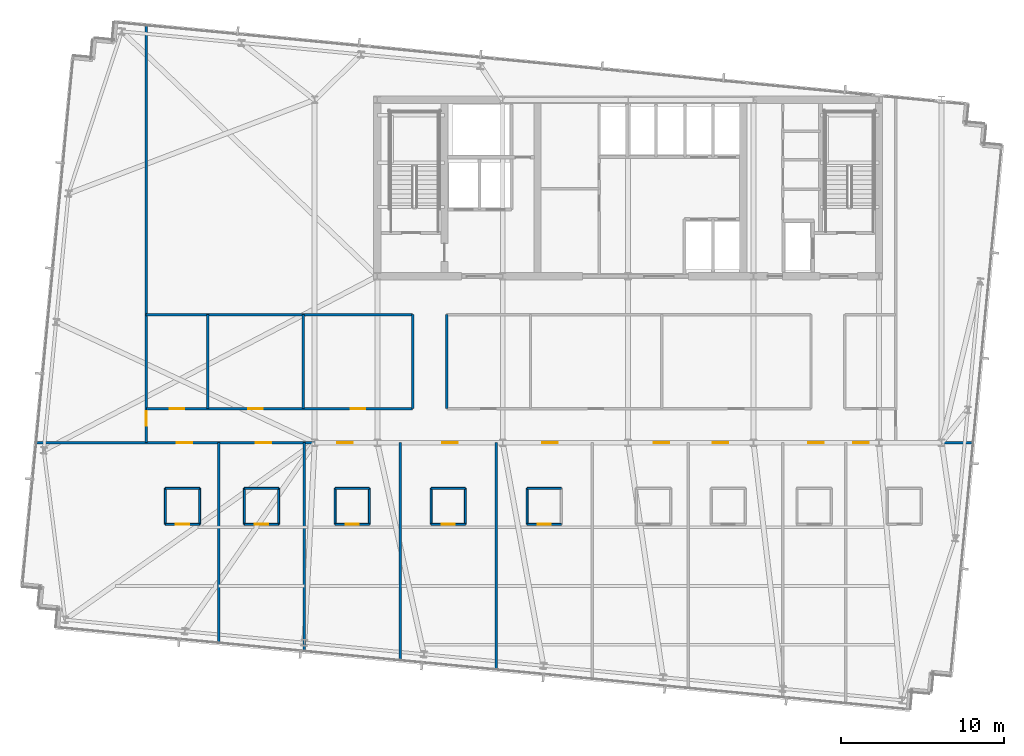
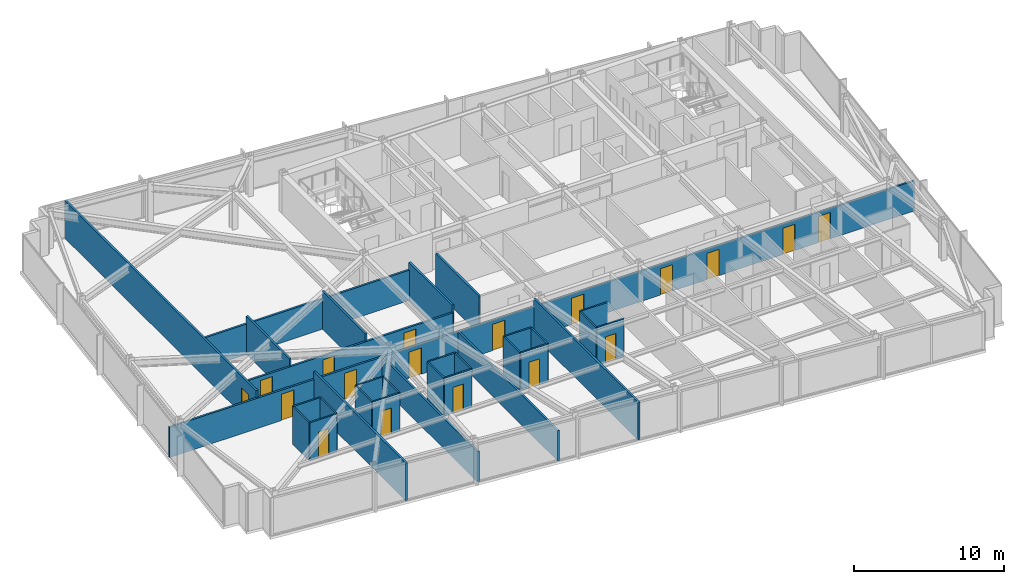
# One storey, part 29 of 37: 31 walls, 18 doors, 18 openings.
"""IFC4 building model written with IfcOpenShell, lengths in metres."""

from ifc_helpers import new_model, si_unit, direction, frame, frame_2d, origin, place, context, subcontext, project, spatial, rectangle, extrude, material, layer, layer_set, type_object, element, fill, save


model = new_model("IFC4")

# Units and contexts
model_context = context("Model", 3, precision=1e-05, world=origin(), true_north=direction((0.0, 1.0)))
body_context = subcontext(model_context, "Body", "Model", "MODEL_VIEW")
ifc_project = project(units=[si_unit("LENGTHUNIT", "METRE"), si_unit("AREAUNIT", "SQUARE_METRE"), si_unit("VOLUMEUNIT", "CUBIC_METRE"), si_unit("PLANEANGLEUNIT", "RADIAN"), si_unit("MASSUNIT", "GRAM", prefix="KILO")], contexts=[model_context])

# Site, building, storey
site_placement = place(None, origin())
site = spatial("IfcSite", under=ifc_project, at=site_placement, CompositionType="ELEMENT")
building_placement = place(site_placement, origin())
building = spatial("IfcBuilding", under=site, at=building_placement, Name="Yelkora Congress Tower", CompositionType="ELEMENT")
storey_placement = place(building_placement, frame((0.0, 0.0, 162.199951171875)))
storey = spatial("IfcBuildingStorey", under=building, at=storey_placement, Name="L44", CompositionType="ELEMENT", Elevation=162.199951171875)

# Walls
ifc_material_1 = material(Name="Moisture-resistant gypsum partition", Category="gypsum")
ifc_layer_1 = layer(ifc_material_1, 0.1201171875)
ifc_layer_set_1 = layer_set([ifc_layer_1], Name="Moisture-resistant gypsum partition")
wall_type_1 = type_object("IfcWallType", Name="WALL-INT-120-NR", PredefinedType="PARTITIONING", material=ifc_layer_set_1)
wall_1_placement = place(storey_placement, frame((10.052001953125, 22.39990234375, 0.0), z_axis=(0.0, 0.0, 1.0), x_axis=(1.0, 0.0, 0.0)))
element("IfcWall", 1, at=wall_1_placement, inside=storey, type_object=wall_type_1, Name="L44 Partition Wall 28", PredefinedType="PARTITIONING", context=body_context, shape_type="SweptSolid", body=[
    extrude(rectangle(XDim=2.10009765625, YDim=0.1201171875, at=frame_2d((1.050048828125, 0.0))), origin(), (0.0, 0.0, 1.0), 3.080078125),
])
for number, where, z_axis, x_axis, name in (
    (2, (10.052001953125, 20.199951171875, 0.0), (0.0, 0.0, 1.0), (0.0, 1.0, 0.0), "L44 Partition Wall 29"),
    (3, (12.152099609375, 20.199951171875, 0.0), (0.0, 0.0, 1.0), (0.0, 1.0, 0.0), "L44 Partition Wall 30"),
):
    element("IfcWall", number, at=place(storey_placement, frame(where, z_axis=z_axis, x_axis=x_axis)), inside=storey, type_object=wall_type_1, Name=name, PredefinedType="PARTITIONING", context=body_context, shape_type="SweptSolid", body=[
        extrude(rectangle(XDim=2.199951171875, YDim=0.1201171875, at=frame_2d((1.10009765625, 0.0))), origin(), (0.0, 0.0, 1.0), 3.080078125),
    ])

# Wall, opening, door
wall_2_placement = place(storey_placement, frame((10.052001953125, 20.199951171875, 0.0), z_axis=(0.0, 0.0, 1.0), x_axis=(1.0, 0.0, 0.0)))
wall_2 = element("IfcWall", 4, at=wall_2_placement, inside=storey, type_object=wall_type_1, Name="L44 Partition Wall 31", PredefinedType="PARTITIONING", context=body_context, shape_type="SweptSolid", body=[
    extrude(rectangle(XDim=2.10009765625, YDim=0.1201171875, at=frame_2d((1.050048828125, 0.0))), origin(), (0.0, 0.0, 1.0), 3.080078125),
])
opening_1_placement = place(wall_2_placement, frame((0.64990234375, 0.0, 0.0)))
opening_1 = element("IfcOpeningElement", 5, at=opening_1_placement, cuts=wall_2, Name="Opening DR-080B", PredefinedType="OPENING", context=body_context, shape_type="SweptSolid", body=[
    extrude(rectangle(XDim=0.800048828125, YDim=2.10009765625, at=frame_2d((0.39990234375, 1.050048828125))), frame((0.0, 0.070068359375, 0.0), z_axis=(0.0, -1.0, 0.0), x_axis=(1.0, 0.0, 0.0)), (0.0, 0.0, 1.0), 0.14013671875),
])
ifc_material_2 = material(Name="Moisture-sealed en-suite timber door", Category="wood")
door_type_1 = type_object("IfcDoorType", Name="DOOR-BATH-800", OperationType="NOTDEFINED", PredefinedType="DOOR", material=ifc_material_2)
door_1_placement = place(opening_1_placement, origin())
door_1 = element("IfcDoor", 6, at=door_1_placement, inside=storey, type_object=door_type_1, Name="L44 En-suite Door 1", OperationType="SINGLE_SWING_RIGHT", OverallHeight=2.10009765625, OverallWidth=0.800048828125, PredefinedType="DOOR", context=body_context, shape_type="SweptSolid", body=[
    extrude(rectangle(XDim=0.800048828125, YDim=2.10009765625, at=frame_2d((0.39990234375, 1.050048828125))), frame((0.0, 0.02490234375, 0.0), z_axis=(0.0, -1.0, 0.0), x_axis=(1.0, 0.0, 0.0)), (0.0, 0.0, 1.0), 0.050048828125),
])
fill(opening_1, door_1)

# Walls
wall_3_placement = place(storey_placement, frame((14.89404296875, 22.39990234375, 0.0), z_axis=(0.0, 0.0, 1.0), x_axis=(1.0, 0.0, 0.0)))
element("IfcWall", 7, at=wall_3_placement, inside=storey, type_object=wall_type_1, Name="L44 Partition Wall 32", PredefinedType="PARTITIONING", context=body_context, shape_type="SweptSolid", body=[
    extrude(rectangle(XDim=2.099853515625, YDim=0.1201171875, at=frame_2d((1.0498046875, 0.0))), origin(), (0.0, 0.0, 1.0), 3.080078125),
])
for number, where, z_axis, x_axis, name in (
    (8, (14.89404296875, 20.199951171875, 0.0), (0.0, 0.0, 1.0), (0.0, 1.0, 0.0), "L44 Partition Wall 33"),
    (9, (16.993896484375, 20.199951171875, 0.0), (0.0, 0.0, 1.0), (0.0, 1.0, 0.0), "L44 Partition Wall 34"),
):
    element("IfcWall", number, at=place(storey_placement, frame(where, z_axis=z_axis, x_axis=x_axis)), inside=storey, type_object=wall_type_1, Name=name, PredefinedType="PARTITIONING", context=body_context, shape_type="SweptSolid", body=[
        extrude(rectangle(XDim=2.199951171875, YDim=0.1201171875, at=frame_2d((1.10009765625, 0.0))), origin(), (0.0, 0.0, 1.0), 3.080078125),
    ])

# Wall, opening, door
wall_4_placement = place(storey_placement, frame((14.89404296875, 20.199951171875, 0.0), z_axis=(0.0, 0.0, 1.0), x_axis=(1.0, 0.0, 0.0)))
wall_4 = element("IfcWall", 10, at=wall_4_placement, inside=storey, type_object=wall_type_1, Name="L44 Partition Wall 35", PredefinedType="PARTITIONING", context=body_context, shape_type="SweptSolid", body=[
    extrude(rectangle(XDim=2.099853515625, YDim=0.1201171875, at=frame_2d((1.0498046875, 0.0))), origin(), (0.0, 0.0, 1.0), 3.080078125),
])
opening_2_placement = place(wall_4_placement, frame((0.64990234375, 0.0, 0.0)))
opening_2 = element("IfcOpeningElement", 11, at=opening_2_placement, cuts=wall_4, Name="Opening DR-080B", PredefinedType="OPENING", context=body_context, shape_type="SweptSolid", body=[
    extrude(rectangle(XDim=0.800048828125, YDim=2.10009765625, at=frame_2d((0.39990234375, 1.050048828125))), frame((0.0, 0.070068359375, 0.0), z_axis=(0.0, -1.0, 0.0), x_axis=(1.0, 0.0, 0.0)), (0.0, 0.0, 1.0), 0.14013671875),
])
door_2_placement = place(opening_2_placement, origin())
door_2 = element("IfcDoor", 12, at=door_2_placement, inside=storey, type_object=door_type_1, Name="L44 En-suite Door 2", OperationType="SINGLE_SWING_LEFT", OverallHeight=2.10009765625, OverallWidth=0.800048828125, PredefinedType="DOOR", context=body_context, shape_type="SweptSolid", body=[
    extrude(rectangle(XDim=0.800048828125, YDim=2.10009765625, at=frame_2d((0.39990234375, 1.050048828125))), frame((0.0, 0.02490234375, 0.0), z_axis=(0.0, -1.0, 0.0), x_axis=(1.0, 0.0, 0.0)), (0.0, 0.0, 1.0), 0.050048828125),
])
fill(opening_2, door_2)

# Walls
wall_5_placement = place(storey_placement, frame((20.451904296875, 22.39990234375, 0.0), z_axis=(0.0, 0.0, 1.0), x_axis=(1.0, 0.0, 0.0)))
element("IfcWall", 13, at=wall_5_placement, inside=storey, type_object=wall_type_1, Name="L44 Partition Wall 37", PredefinedType="PARTITIONING", context=body_context, shape_type="SweptSolid", body=[
    extrude(rectangle(XDim=2.10009765625, YDim=0.1201171875, at=frame_2d((1.050048828125, 0.0))), origin(), (0.0, 0.0, 1.0), 3.080078125),
])
for number, where, z_axis, x_axis, name in (
    (14, (20.451904296875, 20.199951171875, 0.0), (0.0, 0.0, 1.0), (0.0, 1.0, 0.0), "L44 Partition Wall 38"),
    (15, (22.552001953125, 20.199951171875, 0.0), (0.0, 0.0, 1.0), (0.0, 1.0, 0.0), "L44 Partition Wall 39"),
):
    element("IfcWall", number, at=place(storey_placement, frame(where, z_axis=z_axis, x_axis=x_axis)), inside=storey, type_object=wall_type_1, Name=name, PredefinedType="PARTITIONING", context=body_context, shape_type="SweptSolid", body=[
        extrude(rectangle(XDim=2.199951171875, YDim=0.1201171875, at=frame_2d((1.10009765625, 0.0))), origin(), (0.0, 0.0, 1.0), 3.080078125),
    ])

# Wall, opening, door
wall_6_placement = place(storey_placement, frame((20.451904296875, 20.199951171875, 0.0), z_axis=(0.0, 0.0, 1.0), x_axis=(1.0, 0.0, 0.0)))
wall_6 = element("IfcWall", 16, at=wall_6_placement, inside=storey, type_object=wall_type_1, Name="L44 Partition Wall 40", PredefinedType="PARTITIONING", context=body_context, shape_type="SweptSolid", body=[
    extrude(rectangle(XDim=2.10009765625, YDim=0.1201171875, at=frame_2d((1.050048828125, 0.0))), origin(), (0.0, 0.0, 1.0), 3.080078125),
])
opening_3_placement = place(wall_6_placement, frame((0.64990234375, 0.0, 0.0)))
opening_3 = element("IfcOpeningElement", 17, at=opening_3_placement, cuts=wall_6, Name="Opening DR-080B", PredefinedType="OPENING", context=body_context, shape_type="SweptSolid", body=[
    extrude(rectangle(XDim=0.800048828125, YDim=2.10009765625, at=frame_2d((0.39990234375, 1.050048828125))), frame((0.0, 0.070068359375, 0.0), z_axis=(0.0, -1.0, 0.0), x_axis=(1.0, 0.0, 0.0)), (0.0, 0.0, 1.0), 0.14013671875),
])
door_3_placement = place(opening_3_placement, origin())
door_3 = element("IfcDoor", 18, at=door_3_placement, inside=storey, type_object=door_type_1, Name="L44 En-suite Door 3", OperationType="SINGLE_SWING_RIGHT", OverallHeight=2.10009765625, OverallWidth=0.800048828125, PredefinedType="DOOR", context=body_context, shape_type="SweptSolid", body=[
    extrude(rectangle(XDim=0.800048828125, YDim=2.10009765625, at=frame_2d((0.39990234375, 1.050048828125))), frame((0.0, 0.02490234375, 0.0), z_axis=(0.0, -1.0, 0.0), x_axis=(1.0, 0.0, 0.0)), (0.0, 0.0, 1.0), 0.050048828125),
])
fill(opening_3, door_3)

# Walls
wall_7_placement = place(storey_placement, frame((26.326904296875, 22.39990234375, 0.0), z_axis=(0.0, 0.0, 1.0), x_axis=(1.0, 0.0, 0.0)))
element("IfcWall", 19, at=wall_7_placement, inside=storey, type_object=wall_type_1, Name="L44 Partition Wall 42", PredefinedType="PARTITIONING", context=body_context, shape_type="SweptSolid", body=[
    extrude(rectangle(XDim=2.10009765625, YDim=0.1201171875, at=frame_2d((1.050048828125, 0.0))), origin(), (0.0, 0.0, 1.0), 3.080078125),
])
for number, where, z_axis, x_axis, name in (
    (20, (26.326904296875, 20.199951171875, 0.0), (0.0, 0.0, 1.0), (0.0, 1.0, 0.0), "L44 Partition Wall 43"),
    (21, (28.427001953125, 20.199951171875, 0.0), (0.0, 0.0, 1.0), (0.0, 1.0, 0.0), "L44 Partition Wall 44"),
):
    element("IfcWall", number, at=place(storey_placement, frame(where, z_axis=z_axis, x_axis=x_axis)), inside=storey, type_object=wall_type_1, Name=name, PredefinedType="PARTITIONING", context=body_context, shape_type="SweptSolid", body=[
        extrude(rectangle(XDim=2.199951171875, YDim=0.1201171875, at=frame_2d((1.10009765625, 0.0))), origin(), (0.0, 0.0, 1.0), 3.080078125),
    ])

# Wall, opening, door
wall_8_placement = place(storey_placement, frame((26.326904296875, 20.199951171875, 0.0), z_axis=(0.0, 0.0, 1.0), x_axis=(1.0, 0.0, 0.0)))
wall_8 = element("IfcWall", 22, at=wall_8_placement, inside=storey, type_object=wall_type_1, Name="L44 Partition Wall 45", PredefinedType="PARTITIONING", context=body_context, shape_type="SweptSolid", body=[
    extrude(rectangle(XDim=2.10009765625, YDim=0.1201171875, at=frame_2d((1.050048828125, 0.0))), origin(), (0.0, 0.0, 1.0), 3.080078125),
])
opening_4_placement = place(wall_8_placement, frame((0.64990234375, 0.0, 0.0)))
opening_4 = element("IfcOpeningElement", 23, at=opening_4_placement, cuts=wall_8, Name="Opening DR-080B", PredefinedType="OPENING", context=body_context, shape_type="SweptSolid", body=[
    extrude(rectangle(XDim=0.800048828125, YDim=2.10009765625, at=frame_2d((0.39990234375, 1.050048828125))), frame((0.0, 0.070068359375, 0.0), z_axis=(0.0, -1.0, 0.0), x_axis=(1.0, 0.0, 0.0)), (0.0, 0.0, 1.0), 0.14013671875),
])
door_4_placement = place(opening_4_placement, origin())
door_4 = element("IfcDoor", 24, at=door_4_placement, inside=storey, type_object=door_type_1, Name="L44 En-suite Door 4", OperationType="SINGLE_SWING_LEFT", OverallHeight=2.10009765625, OverallWidth=0.800048828125, PredefinedType="DOOR", context=body_context, shape_type="SweptSolid", body=[
    extrude(rectangle(XDim=0.800048828125, YDim=2.10009765625, at=frame_2d((0.39990234375, 1.050048828125))), frame((0.0, 0.02490234375, 0.0), z_axis=(0.0, -1.0, 0.0), x_axis=(1.0, 0.0, 0.0)), (0.0, 0.0, 1.0), 0.050048828125),
])
fill(opening_4, door_4)

# Walls
wall_9_placement = place(storey_placement, frame((32.2080078125, 22.39990234375, 0.0), z_axis=(0.0, 0.0, 1.0), x_axis=(1.0, 0.0, 0.0)))
element("IfcWall", 25, at=wall_9_placement, inside=storey, type_object=wall_type_1, Name="L44 Partition Wall 47", PredefinedType="PARTITIONING", context=body_context, shape_type="SweptSolid", body=[
    extrude(rectangle(XDim=2.10009765625, YDim=0.1201171875, at=frame_2d((1.050048828125, 0.0))), origin(), (0.0, 0.0, 1.0), 3.080078125),
])
wall_10_placement = place(storey_placement, frame((32.2080078125, 20.199951171875, 0.0), z_axis=(0.0, 0.0, 1.0), x_axis=(0.0, 1.0, 0.0)))
element("IfcWall", 26, at=wall_10_placement, inside=storey, type_object=wall_type_1, Name="L44 Partition Wall 48", PredefinedType="PARTITIONING", context=body_context, shape_type="SweptSolid", body=[
    extrude(rectangle(XDim=2.199951171875, YDim=0.1201171875, at=frame_2d((1.10009765625, 0.0))), origin(), (0.0, 0.0, 1.0), 3.080078125),
])

# Wall, opening, door
wall_11_placement = place(storey_placement, frame((32.2080078125, 20.199951171875, 0.0), z_axis=(0.0, 0.0, 1.0), x_axis=(1.0, 0.0, 0.0)))
wall_11 = element("IfcWall", 27, at=wall_11_placement, inside=storey, type_object=wall_type_1, Name="L44 Partition Wall 50", PredefinedType="PARTITIONING", context=body_context, shape_type="SweptSolid", body=[
    extrude(rectangle(XDim=2.10009765625, YDim=0.1201171875, at=frame_2d((1.050048828125, 0.0))), origin(), (0.0, 0.0, 1.0), 3.080078125),
])
opening_5_placement = place(wall_11_placement, frame((0.64990234375, 0.0, 0.0)))
opening_5 = element("IfcOpeningElement", 28, at=opening_5_placement, cuts=wall_11, Name="Opening DR-080B", PredefinedType="OPENING", context=body_context, shape_type="SweptSolid", body=[
    extrude(rectangle(XDim=0.800048828125, YDim=2.10009765625, at=frame_2d((0.39990234375, 1.050048828125))), frame((0.0, 0.070068359375, 0.0), z_axis=(0.0, -1.0, 0.0), x_axis=(1.0, 0.0, 0.0)), (0.0, 0.0, 1.0), 0.14013671875),
])
door_5_placement = place(opening_5_placement, origin())
door_5 = element("IfcDoor", 29, at=door_5_placement, inside=storey, type_object=door_type_1, Name="L44 En-suite Door 5", OperationType="SINGLE_SWING_RIGHT", OverallHeight=2.10009765625, OverallWidth=0.800048828125, PredefinedType="DOOR", context=body_context, shape_type="SweptSolid", body=[
    extrude(rectangle(XDim=0.800048828125, YDim=2.10009765625, at=frame_2d((0.39990234375, 1.050048828125))), frame((0.0, 0.02490234375, 0.0), z_axis=(0.0, -1.0, 0.0), x_axis=(1.0, 0.0, 0.0)), (0.0, 0.0, 1.0), 0.050048828125),
])
fill(opening_5, door_5)

ifc_material_3 = material(Name="Acoustic metal-stud gypsum partition", Category="gypsum")
ifc_layer_2 = layer(ifc_material_3, 0.14990234375)
ifc_layer_set_2 = layer_set([ifc_layer_2], Name="Acoustic metal-stud gypsum partition")
wall_type_2 = type_object("IfcWallType", Name="WALL-INT-150-NR", PredefinedType="PARTITIONING", material=ifc_layer_set_2)
wall_12_placement = place(storey_placement, frame((8.8798828125, 25.199951171875, 0.0), z_axis=(0.0, 0.0, 1.0), x_axis=(0.0, 1.0, 0.0)))
wall_12 = element("IfcWall", 30, at=wall_12_placement, inside=storey, type_object=wall_type_2, Name="L44 Partition Wall 73", PredefinedType="PARTITIONING", context=body_context, shape_type="SweptSolid", body=[
    extrude(rectangle(XDim=25.61962890625, YDim=0.14990234375, at=frame_2d((12.809814453125, 0.0))), origin(), (0.0, 0.0, 1.0), 3.080078125),
])
opening_6_placement = place(wall_12_placement, frame((1.030029296875, 0.0, 0.0)))
opening_6 = element("IfcOpeningElement", 31, at=opening_6_placement, cuts=wall_12, Name="Opening DR-090N", PredefinedType="OPENING", context=body_context, shape_type="SweptSolid", body=[
    extrude(rectangle(XDim=0.89990234375, YDim=2.14990234375, at=frame_2d((0.449951171875, 1.074951171875))), frame((0.0, 0.0849609375, 0.0), z_axis=(0.0, -1.0, 0.0), x_axis=(1.0, 0.0, 0.0)), (0.0, 0.0, 1.0), 0.169921875),
])
ifc_material_4 = material(Name="Moisture-resistant laminate door leaf", Category="wood")
door_type_2 = type_object("IfcDoorType", Name="DOOR-INT-900", OperationType="NOTDEFINED", PredefinedType="DOOR", material=ifc_material_4)
door_6_placement = place(opening_6_placement, origin())
door_6 = element("IfcDoor", 32, at=door_6_placement, inside=storey, type_object=door_type_2, Name="L44 W Wing Door", OperationType="SINGLE_SWING_RIGHT", OverallHeight=2.14990234375, OverallWidth=0.89990234375, PredefinedType="DOOR", context=body_context, shape_type="SweptSolid", body=[
    extrude(rectangle(XDim=0.89990234375, YDim=2.14990234375, at=frame_2d((0.449951171875, 1.074951171875))), frame((0.0, 0.02490234375, 0.0), z_axis=(0.0, -1.0, 0.0), x_axis=(1.0, 0.0, 0.0)), (0.0, 0.0, 1.0), 0.050048828125),
])
fill(opening_6, door_6)

# Walls
for number, where, z_axis, x_axis, name in (
    (33, (25.199951171875, 27.280029296875, 0.0), (0.0, 0.0, 1.0), (0.0, 1.0, 0.0), "L44 Partition Wall 75"),
    (34, (27.280029296875, 27.280029296875, 0.0), (0.0, 0.0, 1.0), (0.0, 1.0, 0.0), "L44 Partition Wall 76"),
):
    element("IfcWall", number, at=place(storey_placement, frame(where, z_axis=z_axis, x_axis=x_axis)), inside=storey, type_object=wall_type_2, Name=name, PredefinedType="PARTITIONING", context=body_context, shape_type="SweptSolid", body=[
        extrude(rectangle(XDim=5.77001953125, YDim=0.14990234375, at=frame_2d((2.885009765625, 0.0))), origin(), (0.0, 0.0, 1.0), 3.080078125),
    ])
wall_13_placement = place(storey_placement, frame((8.8798828125, 33.050048828125, 0.0), z_axis=(0.0, 0.0, 1.0), x_axis=(1.0, 0.0, 0.0)))
element("IfcWall", 35, at=wall_13_placement, inside=storey, type_object=wall_type_2, Name="L44 Partition Wall 79", PredefinedType="PARTITIONING", context=body_context, shape_type="SweptSolid", body=[
    extrude(rectangle(XDim=16.320068359375, YDim=0.14990234375, at=frame_2d((8.16015625, 0.0))), origin(), (0.0, 0.0, 1.0), 2.47509765625),
])
for number, where, z_axis, x_axis, name in (
    (36, (12.64697265625, 27.280029296875, 0.0), (0.0, 0.0, 1.0), (0.0, 1.0, 0.0), "L44 Partition Wall 82"),
    (37, (18.510986328125, 27.280029296875, 0.0), (0.0, 0.0, 1.0), (0.0, 1.0, 0.0), "L44 Partition Wall 83"),
):
    element("IfcWall", number, at=place(storey_placement, frame(where, z_axis=z_axis, x_axis=x_axis)), inside=storey, type_object=wall_type_2, Name=name, PredefinedType="PARTITIONING", context=body_context, shape_type="SweptSolid", body=[
        extrude(rectangle(XDim=5.77001953125, YDim=0.14990234375, at=frame_2d((2.885009765625, 0.0))), origin(), (0.0, 0.0, 1.0), 3.080078125),
    ])

# Wall, openings, doors
wall_14_placement = place(storey_placement, frame((8.89990234375, 27.280029296875, 0.0), z_axis=(0.0, 0.0, 1.0), x_axis=(1.0, 0.0, 0.0)))
wall_14 = element("IfcWall", 38, at=wall_14_placement, inside=storey, type_object=wall_type_2, Name="L44 Partition Wall 84", PredefinedType="PARTITIONING", context=body_context, shape_type="SweptSolid", body=[
    extrude(rectangle(XDim=16.2900390625, YDim=0.14990234375, at=frame_2d((8.14501953125, 0.0))), origin(), (0.0, 0.0, 1.0), 2.47509765625),
])
opening_7_placement = place(wall_14_placement, frame((1.423583984375, 0.0, 0.0)))
opening_7 = element("IfcOpeningElement", 39, at=opening_7_placement, cuts=wall_14, Name="Opening DR-090N", PredefinedType="OPENING", context=body_context, shape_type="SweptSolid", body=[
    extrude(rectangle(XDim=0.89990234375, YDim=2.14990234375, at=frame_2d((0.449951171875, 1.074951171875))), frame((0.0, 0.0849609375, 0.0), z_axis=(0.0, -1.0, 0.0), x_axis=(1.0, 0.0, 0.0)), (0.0, 0.0, 1.0), 0.169921875),
])
opening_8_placement = place(wall_14_placement, frame((6.22900390625, 0.0, 0.0)))
opening_8 = element("IfcOpeningElement", 40, at=opening_8_placement, cuts=wall_14, Name="Opening DR-090N", PredefinedType="OPENING", context=body_context, shape_type="SweptSolid", body=[
    extrude(rectangle(XDim=0.89990234375, YDim=2.14990234375, at=frame_2d((0.449951171875, 1.074951171875))), frame((0.0, 0.0849609375, 0.0), z_axis=(0.0, -1.0, 0.0), x_axis=(1.0, 0.0, 0.0)), (0.0, 0.0, 1.0), 0.169921875),
])
opening_9_placement = place(wall_14_placement, frame((12.50048828125, 0.0, 0.0)))
opening_9 = element("IfcOpeningElement", 41, at=opening_9_placement, cuts=wall_14, Name="Opening DR-090N", PredefinedType="OPENING", context=body_context, shape_type="SweptSolid", body=[
    extrude(rectangle(XDim=0.89990234375, YDim=2.14990234375, at=frame_2d((0.449951171875, 1.074951171875))), frame((0.0, 0.0849609375, 0.0), z_axis=(0.0, -1.0, 0.0), x_axis=(1.0, 0.0, 0.0)), (0.0, 0.0, 1.0), 0.169921875),
])
door_7_placement = place(opening_7_placement, origin())
door_7 = element("IfcDoor", 42, at=door_7_placement, inside=storey, type_object=door_type_2, Name="L44 Housekeeping & Linen Room Door", OperationType="SINGLE_SWING_RIGHT", OverallHeight=2.14990234375, OverallWidth=0.89990234375, PredefinedType="DOOR", context=body_context, shape_type="SweptSolid", body=[
    extrude(rectangle(XDim=0.89990234375, YDim=2.14990234375, at=frame_2d((0.449951171875, 1.074951171875))), frame((0.0, 0.02490234375, 0.0), z_axis=(0.0, -1.0, 0.0), x_axis=(1.0, 0.0, 0.0)), (0.0, 0.0, 1.0), 0.050048828125),
])
fill(opening_7, door_7)
door_8_placement = place(opening_8_placement, origin())
door_8 = element("IfcDoor", 43, at=door_8_placement, inside=storey, type_object=door_type_2, Name="L44 Huddle Seminar Room Door", OperationType="SINGLE_SWING_LEFT", OverallHeight=2.14990234375, OverallWidth=0.89990234375, PredefinedType="DOOR", context=body_context, shape_type="SweptSolid", body=[
    extrude(rectangle(XDim=0.89990234375, YDim=2.14990234375, at=frame_2d((0.449951171875, 1.074951171875))), frame((0.0, 0.02490234375, 0.0), z_axis=(0.0, -1.0, 0.0), x_axis=(1.0, 0.0, 0.0)), (0.0, 0.0, 1.0), 0.050048828125),
])
fill(opening_8, door_8)
door_9_placement = place(opening_9_placement, origin())
door_9 = element("IfcDoor", 44, at=door_9_placement, inside=storey, type_object=door_type_2, Name="L44 Breakout Training Room Door", OperationType="SINGLE_SWING_RIGHT", OverallHeight=2.14990234375, OverallWidth=0.89990234375, PredefinedType="DOOR", context=body_context, shape_type="SweptSolid", body=[
    extrude(rectangle(XDim=0.89990234375, YDim=2.14990234375, at=frame_2d((0.449951171875, 1.074951171875))), frame((0.0, 0.02490234375, 0.0), z_axis=(0.0, -1.0, 0.0), x_axis=(1.0, 0.0, 0.0)), (0.0, 0.0, 1.0), 0.050048828125),
])
fill(opening_9, door_9)

# Walls
ifc_material_5 = material(Name="Twin-stud fire-rated gypsum partition", Category="gypsum")
ifc_layer_3 = layer(ifc_material_5, 0.14990234375)
ifc_layer_set_3 = layer_set([ifc_layer_3], Name="Twin-stud fire-rated gypsum partition")
wall_type_3 = type_object("IfcWallType", Name="WALL-INT-150-R60", PredefinedType="PARTITIONING", material=ifc_layer_set_3)
wall_15_placement = place(storey_placement, frame((13.322998046875, 12.879150390625, 0.0), z_axis=(0.0, 0.0, 1.0), x_axis=(0.0, 1.0, 0.0)))
element("IfcWall", 45, at=wall_15_placement, inside=storey, type_object=wall_type_3, Name="L44 Partition Wall 36", PredefinedType="PARTITIONING", context=body_context, shape_type="SweptSolid", body=[
    extrude(rectangle(XDim=12.3408203125, YDim=0.14990234375, at=frame_2d((6.17041015625, 0.0))), origin(), (0.0, 0.0, 1.0), 3.080078125),
])
wall_16_placement = place(storey_placement, frame((18.56591796875, 12.374267578125, 0.0), z_axis=(0.0, 0.0, 1.0), x_axis=(0.0, 1.0, 0.0)))
element("IfcWall", 46, at=wall_16_placement, inside=storey, type_object=wall_type_3, Name="L44 Partition Wall 41", PredefinedType="PARTITIONING", context=body_context, shape_type="SweptSolid", body=[
    extrude(rectangle(XDim=12.845703125, YDim=0.14990234375, at=frame_2d((6.4228515625, 0.0))), origin(), (0.0, 0.0, 1.0), 2.47509765625),
])
wall_17_placement = place(storey_placement, frame((24.43701171875, 11.80908203125, 0.0), z_axis=(0.0, 0.0, 1.0), x_axis=(0.0, 1.0, 0.0)))
element("IfcWall", 47, at=wall_17_placement, inside=storey, type_object=wall_type_3, Name="L44 Partition Wall 46", PredefinedType="PARTITIONING", context=body_context, shape_type="SweptSolid", body=[
    extrude(rectangle(XDim=13.410888671875, YDim=0.14990234375, at=frame_2d((6.70556640625, 0.0))), origin(), (0.0, 0.0, 1.0), 2.47509765625),
])
wall_18_placement = place(storey_placement, frame((30.31689453125, 11.242919921875, 0.0), z_axis=(0.0, 0.0, 1.0), x_axis=(0.0, 1.0, 0.0)))
element("IfcWall", 48, at=wall_18_placement, inside=storey, type_object=wall_type_3, Name="L44 Partition Wall 51", PredefinedType="PARTITIONING", context=body_context, shape_type="SweptSolid", body=[
    extrude(rectangle(XDim=13.97705078125, YDim=0.14990234375, at=frame_2d((6.988525390625, 0.0))), origin(), (0.0, 0.0, 1.0), 3.080078125),
])

# Wall, openings, doors
wall_19_placement = place(storey_placement, frame((2.080078125, 25.199951171875, 0.0), z_axis=(0.0, 0.0, 1.0), x_axis=(1.0, 0.0, 0.0)))
wall_19 = element("IfcWall", 49, at=wall_19_placement, inside=storey, type_object=wall_type_3, Name="L44 South Spine Wall", PredefinedType="PARTITIONING", context=body_context, shape_type="SweptSolid", body=[
    extrude(rectangle(XDim=57.504638671875, YDim=0.14990234375, at=frame_2d((28.75244140625, 0.0))), origin(), (0.0, 0.0, 1.0), 2.47509765625),
])
opening_10_placement = place(wall_19_placement, frame((8.66162109375, 0.0, 0.0)))
opening_10 = element("IfcOpeningElement", 50, at=opening_10_placement, cuts=wall_19, Name="Opening DR-095F6", PredefinedType="OPENING", context=body_context, shape_type="SweptSolid", body=[
    extrude(rectangle(XDim=0.949951171875, YDim=2.14990234375, at=frame_2d((0.47509765625, 1.074951171875))), frame((0.0, 0.0849609375, 0.0), z_axis=(0.0, -1.0, 0.0), x_axis=(1.0, 0.0, 0.0)), (0.0, 0.0, 1.0), 0.169921875),
])
opening_11_placement = place(wall_19_placement, frame((13.50439453125, 0.0, 0.0)))
opening_11 = element("IfcOpeningElement", 51, at=opening_11_placement, cuts=wall_19, Name="Opening DR-095F6", PredefinedType="OPENING", context=body_context, shape_type="SweptSolid", body=[
    extrude(rectangle(XDim=0.949951171875, YDim=2.14990234375, at=frame_2d((0.47509765625, 1.074951171875))), frame((0.0, 0.0849609375, 0.0), z_axis=(0.0, -1.0, 0.0), x_axis=(1.0, 0.0, 0.0)), (0.0, 0.0, 1.0), 0.169921875),
])
opening_12_placement = place(wall_19_placement, frame((18.51171875, 0.0, 0.0)))
opening_12 = element("IfcOpeningElement", 52, at=opening_12_placement, cuts=wall_19, Name="Opening DR-095F6", PredefinedType="OPENING", context=body_context, shape_type="SweptSolid", body=[
    extrude(rectangle(XDim=0.949951171875, YDim=2.14990234375, at=frame_2d((0.47509765625, 1.074951171875))), frame((0.0, 0.0849609375, 0.0), z_axis=(0.0, -1.0, 0.0), x_axis=(1.0, 0.0, 0.0)), (0.0, 0.0, 1.0), 0.169921875),
])
opening_13_placement = place(wall_19_placement, frame((24.93701171875, 0.0, 0.0)))
opening_13 = element("IfcOpeningElement", 53, at=opening_13_placement, cuts=wall_19, Name="Opening DR-095F6", PredefinedType="OPENING", context=body_context, shape_type="SweptSolid", body=[
    extrude(rectangle(XDim=0.949951171875, YDim=2.14990234375, at=frame_2d((0.47509765625, 1.074951171875))), frame((0.0, 0.0849609375, 0.0), z_axis=(0.0, -1.0, 0.0), x_axis=(1.0, 0.0, 0.0)), (0.0, 0.0, 1.0), 0.169921875),
])
opening_14_placement = place(wall_19_placement, frame((31.0439453125, 0.0, 0.0)))
opening_14 = element("IfcOpeningElement", 54, at=opening_14_placement, cuts=wall_19, Name="Opening DR-095F6", PredefinedType="OPENING", context=body_context, shape_type="SweptSolid", body=[
    extrude(rectangle(XDim=0.949951171875, YDim=2.14990234375, at=frame_2d((0.47509765625, 1.074951171875))), frame((0.0, 0.0849609375, 0.0), z_axis=(0.0, -1.0, 0.0), x_axis=(1.0, 0.0, 0.0)), (0.0, 0.0, 1.0), 0.169921875),
])
opening_15_placement = place(wall_19_placement, frame((37.89697265625, 0.0, 0.0)))
opening_15 = element("IfcOpeningElement", 55, at=opening_15_placement, cuts=wall_19, Name="Opening DR-095F6", PredefinedType="OPENING", context=body_context, shape_type="SweptSolid", body=[
    extrude(rectangle(XDim=0.949951171875, YDim=2.14990234375, at=frame_2d((0.47509765625, 1.074951171875))), frame((0.0, 0.0849609375, 0.0), z_axis=(0.0, -1.0, 0.0), x_axis=(1.0, 0.0, 0.0)), (0.0, 0.0, 1.0), 0.169921875),
])
opening_16_placement = place(wall_19_placement, frame((41.489013671875, 0.0, 0.0)))
opening_16 = element("IfcOpeningElement", 56, at=opening_16_placement, cuts=wall_19, Name="Opening DR-095F6", PredefinedType="OPENING", context=body_context, shape_type="SweptSolid", body=[
    extrude(rectangle(XDim=0.949951171875, YDim=2.14990234375, at=frame_2d((0.47509765625, 1.074951171875))), frame((0.0, 0.0849609375, 0.0), z_axis=(0.0, -1.0, 0.0), x_axis=(1.0, 0.0, 0.0)), (0.0, 0.0, 1.0), 0.169921875),
])
opening_17_placement = place(wall_19_placement, frame((47.3505859375, 0.0, 0.0)))
opening_17 = element("IfcOpeningElement", 57, at=opening_17_placement, cuts=wall_19, Name="Opening DR-095F6", PredefinedType="OPENING", context=body_context, shape_type="SweptSolid", body=[
    extrude(rectangle(XDim=0.949951171875, YDim=2.14990234375, at=frame_2d((0.47509765625, 1.074951171875))), frame((0.0, 0.0849609375, 0.0), z_axis=(0.0, -1.0, 0.0), x_axis=(1.0, 0.0, 0.0)), (0.0, 0.0, 1.0), 0.169921875),
])
opening_18_placement = place(wall_19_placement, frame((50.092041015625, 0.0, 0.0)))
opening_18 = element("IfcOpeningElement", 58, at=opening_18_placement, cuts=wall_19, Name="Opening DR-095F6", PredefinedType="OPENING", context=body_context, shape_type="SweptSolid", body=[
    extrude(rectangle(XDim=0.949951171875, YDim=2.14990234375, at=frame_2d((0.47509765625, 1.074951171875))), frame((0.0, 0.0849609375, 0.0), z_axis=(0.0, -1.0, 0.0), x_axis=(1.0, 0.0, 0.0)), (0.0, 0.0, 1.0), 0.169921875),
])
ifc_material_6 = material(Name="Acoustic oak-veneer fire door leaf", Category="wood")
door_type_3 = type_object("IfcDoorType", Name="DOOR-FD60-950", OperationType="NOTDEFINED", PredefinedType="DOOR", material=ifc_material_6)
door_10_placement = place(opening_10_placement, origin())
door_10 = element("IfcDoor", 59, at=door_10_placement, inside=storey, type_object=door_type_3, Name="L44 Diplomatic Suite 01 Entry Door", OperationType="SINGLE_SWING_LEFT", OverallHeight=2.14990234375, OverallWidth=0.949951171875, PredefinedType="DOOR", context=body_context, shape_type="SweptSolid", body=[
    extrude(rectangle(XDim=0.949951171875, YDim=2.14990234375, at=frame_2d((0.47509765625, 1.074951171875))), frame((0.0, 0.02490234375, 0.0), z_axis=(0.0, -1.0, 0.0), x_axis=(1.0, 0.0, 0.0)), (0.0, 0.0, 1.0), 0.050048828125),
])
fill(opening_10, door_10)
door_11_placement = place(opening_11_placement, origin())
door_11 = element("IfcDoor", 60, at=door_11_placement, inside=storey, type_object=door_type_3, Name="L44 Diplomatic Suite 02 Entry Door", OperationType="SINGLE_SWING_RIGHT", OverallHeight=2.14990234375, OverallWidth=0.949951171875, PredefinedType="DOOR", context=body_context, shape_type="SweptSolid", body=[
    extrude(rectangle(XDim=0.949951171875, YDim=2.14990234375, at=frame_2d((0.47509765625, 1.074951171875))), frame((0.0, 0.02490234375, 0.0), z_axis=(0.0, -1.0, 0.0), x_axis=(1.0, 0.0, 0.0)), (0.0, 0.0, 1.0), 0.050048828125),
])
fill(opening_11, door_11)
door_12_placement = place(opening_12_placement, origin())
door_12 = element("IfcDoor", 61, at=door_12_placement, inside=storey, type_object=door_type_3, Name="L44 Diplomatic Suite 03 Entry Door", OperationType="SINGLE_SWING_LEFT", OverallHeight=2.14990234375, OverallWidth=0.949951171875, PredefinedType="DOOR", context=body_context, shape_type="SweptSolid", body=[
    extrude(rectangle(XDim=0.949951171875, YDim=2.14990234375, at=frame_2d((0.47509765625, 1.074951171875))), frame((0.0, 0.02490234375, 0.0), z_axis=(0.0, -1.0, 0.0), x_axis=(1.0, 0.0, 0.0)), (0.0, 0.0, 1.0), 0.050048828125),
])
fill(opening_12, door_12)
door_13_placement = place(opening_13_placement, origin())
door_13 = element("IfcDoor", 62, at=door_13_placement, inside=storey, type_object=door_type_3, Name="L44 Diplomatic Suite 04 Entry Door", OperationType="SINGLE_SWING_RIGHT", OverallHeight=2.14990234375, OverallWidth=0.949951171875, PredefinedType="DOOR", context=body_context, shape_type="SweptSolid", body=[
    extrude(rectangle(XDim=0.949951171875, YDim=2.14990234375, at=frame_2d((0.47509765625, 1.074951171875))), frame((0.0, 0.02490234375, 0.0), z_axis=(0.0, -1.0, 0.0), x_axis=(1.0, 0.0, 0.0)), (0.0, 0.0, 1.0), 0.050048828125),
])
fill(opening_13, door_13)
door_14_placement = place(opening_14_placement, origin())
door_14 = element("IfcDoor", 63, at=door_14_placement, inside=storey, type_object=door_type_3, Name="L44 Diplomatic Suite 05 Entry Door", OperationType="SINGLE_SWING_LEFT", OverallHeight=2.14990234375, OverallWidth=0.949951171875, PredefinedType="DOOR", context=body_context, shape_type="SweptSolid", body=[
    extrude(rectangle(XDim=0.949951171875, YDim=2.14990234375, at=frame_2d((0.47509765625, 1.074951171875))), frame((0.0, 0.02490234375, 0.0), z_axis=(0.0, -1.0, 0.0), x_axis=(1.0, 0.0, 0.0)), (0.0, 0.0, 1.0), 0.050048828125),
])
fill(opening_14, door_14)
door_15_placement = place(opening_15_placement, origin())
door_15 = element("IfcDoor", 64, at=door_15_placement, inside=storey, type_object=door_type_3, Name="L44 Diplomatic Suite 06 Entry Door", OperationType="SINGLE_SWING_RIGHT", OverallHeight=2.14990234375, OverallWidth=0.949951171875, PredefinedType="DOOR", context=body_context, shape_type="SweptSolid", body=[
    extrude(rectangle(XDim=0.949951171875, YDim=2.14990234375, at=frame_2d((0.47509765625, 1.074951171875))), frame((0.0, 0.02490234375, 0.0), z_axis=(0.0, -1.0, 0.0), x_axis=(1.0, 0.0, 0.0)), (0.0, 0.0, 1.0), 0.050048828125),
])
fill(opening_15, door_15)
door_16_placement = place(opening_16_placement, origin())
door_16 = element("IfcDoor", 65, at=door_16_placement, inside=storey, type_object=door_type_3, Name="L44 Diplomatic Suite 07 Entry Door", OperationType="SINGLE_SWING_LEFT", OverallHeight=2.14990234375, OverallWidth=0.949951171875, PredefinedType="DOOR", context=body_context, shape_type="SweptSolid", body=[
    extrude(rectangle(XDim=0.949951171875, YDim=2.14990234375, at=frame_2d((0.47509765625, 1.074951171875))), frame((0.0, 0.02490234375, 0.0), z_axis=(0.0, -1.0, 0.0), x_axis=(1.0, 0.0, 0.0)), (0.0, 0.0, 1.0), 0.050048828125),
])
fill(opening_16, door_16)
door_17_placement = place(opening_17_placement, origin())
door_17 = element("IfcDoor", 66, at=door_17_placement, inside=storey, type_object=door_type_3, Name="L44 Hotel Guest Room 08 Entry Door", OperationType="SINGLE_SWING_RIGHT", OverallHeight=2.14990234375, OverallWidth=0.949951171875, PredefinedType="DOOR", context=body_context, shape_type="SweptSolid", body=[
    extrude(rectangle(XDim=0.949951171875, YDim=2.14990234375, at=frame_2d((0.47509765625, 1.074951171875))), frame((0.0, 0.02490234375, 0.0), z_axis=(0.0, -1.0, 0.0), x_axis=(1.0, 0.0, 0.0)), (0.0, 0.0, 1.0), 0.050048828125),
])
fill(opening_17, door_17)
door_18_placement = place(opening_18_placement, origin())
door_18 = element("IfcDoor", 67, at=door_18_placement, inside=storey, type_object=door_type_3, Name="L44 Diplomatic Suite 09 Entry Door", OperationType="SINGLE_SWING_LEFT", OverallHeight=2.14990234375, OverallWidth=0.949951171875, PredefinedType="DOOR", context=body_context, shape_type="SweptSolid", body=[
    extrude(rectangle(XDim=0.949951171875, YDim=2.14990234375, at=frame_2d((0.47509765625, 1.074951171875))), frame((0.0, 0.02490234375, 0.0), z_axis=(0.0, -1.0, 0.0), x_axis=(1.0, 0.0, 0.0)), (0.0, 0.0, 1.0), 0.050048828125),
])
fill(opening_18, door_18)

save(model, "model.ifc")
